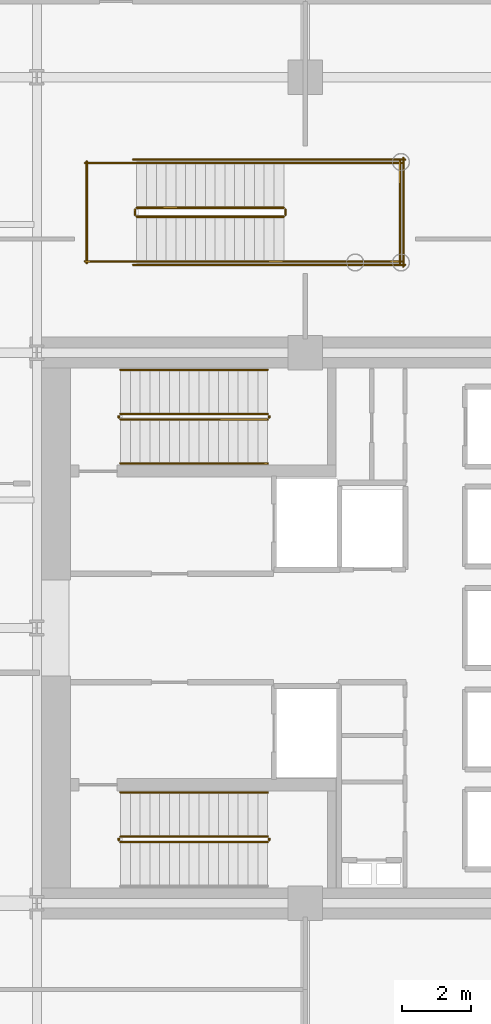
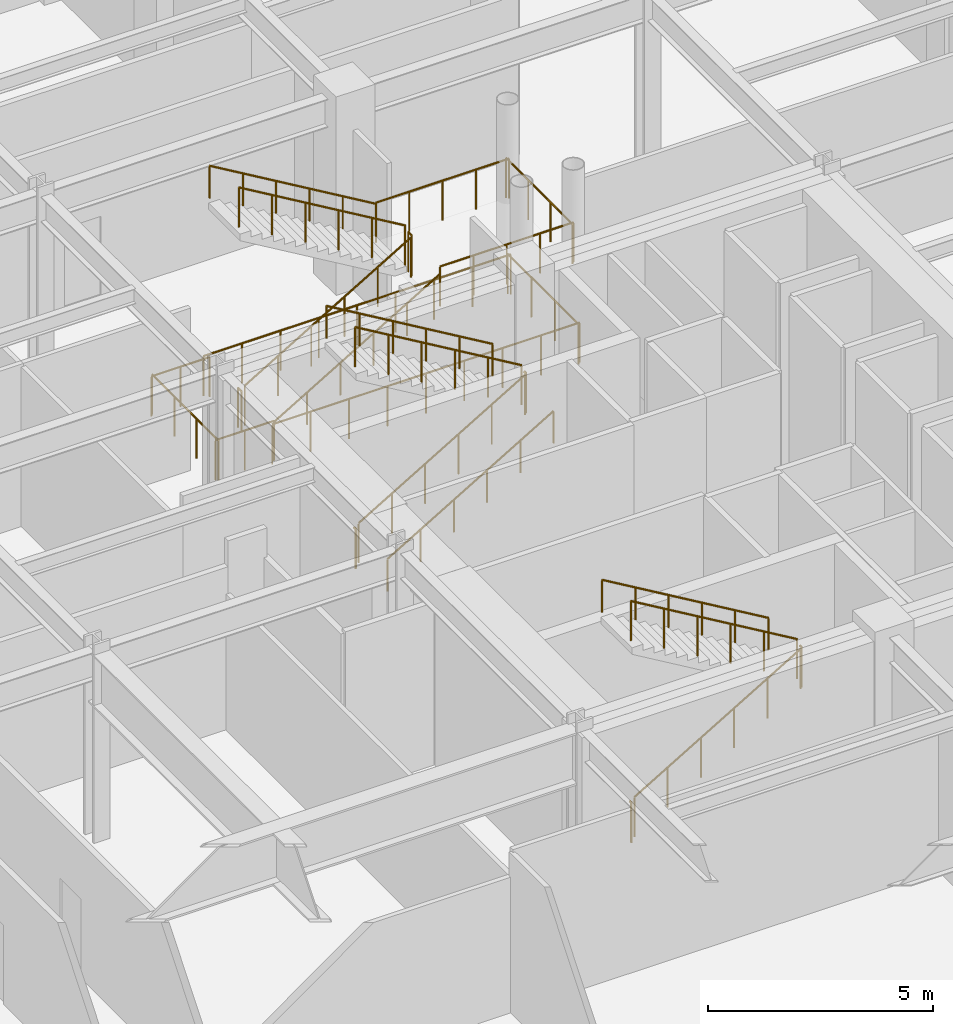
# One storey, part 12 of 12: 26 railings.
"""IFC4 building model written with IfcOpenShell, lengths in metres."""

from ifc_helpers import new_model, si_unit, direction, frame, origin, origin_2d, place, context, subcontext, project, spatial, circle, extrude, material, type_object, element, save


model = new_model("IFC4")

# Units and contexts
model_context = context("Model", 3, precision=1e-05, world=origin(), true_north=direction((0.0, 1.0)))
body_context = subcontext(model_context, "Body", "Model", "MODEL_VIEW")
ifc_project = project(units=[si_unit("LENGTHUNIT", "METRE"), si_unit("AREAUNIT", "SQUARE_METRE"), si_unit("VOLUMEUNIT", "CUBIC_METRE"), si_unit("PLANEANGLEUNIT", "RADIAN"), si_unit("MASSUNIT", "GRAM", prefix="KILO")], contexts=[model_context])

# Site, building, storey
site_placement = place(None, origin())
site = spatial("IfcSite", under=ifc_project, at=site_placement, CompositionType="ELEMENT")
building_placement = place(site_placement, origin())
building = spatial("IfcBuilding", under=site, at=building_placement, Name="Veymaron Broadcast Tower", CompositionType="ELEMENT")
storey_placement = place(building_placement, frame((0.0, 0.0, 10.800048828125)))
storey = spatial("IfcBuildingStorey", under=building, at=storey_placement, Name="L02", CompositionType="ELEMENT", Elevation=10.800048828125)

# Railings
ifc_material_1 = material(Name="Brushed stainless steel AISI 304", Category="steel")
railing_type_1 = type_object("IfcRailingType", Name="RAIL-STAIR-HR", PredefinedType="HANDRAIL", material=ifc_material_1)
railing_1_placement = place(storey_placement, frame((41.429931640625, 28.780029296875, 0.168701171875)))
element("IfcRailing", 1, at=railing_1_placement, inside=storey, type_object=railing_type_1, Name="L02 ST1 stair handrail 1", PredefinedType="HANDRAIL", context=body_context, shape_type="SweptSolid", body=[
    extrude(circle(Radius=0.02392578125, at=origin_2d()), frame((0.0, 0.0, 0.8759765625), z_axis=(0.860483042394, 0.0, 0.50947908078), x_axis=(0.0, 1.0, 0.0)), (0.0, 0.0, 1.0), 4.96826171875),
    extrude(circle(Radius=0.02099609375, at=origin_2d()), origin(), (0.0, 0.0, 1.0), 0.851806640625),
    extrude(circle(Radius=0.02099609375, at=origin_2d()), frame((0.85498046875, 0.0, 0.50634765625)), (0.0, 0.0, 1.0), 0.851806640625),
    extrude(circle(Radius=0.02099609375, at=origin_2d()), frame((1.7099609375, 0.0, 1.012451171875)), (0.0, 0.0, 1.0), 0.851806640625),
    extrude(circle(Radius=0.02099609375, at=origin_2d()), frame((2.565185546875, 0.0, 1.518798828125)), (0.0, 0.0, 1.0), 0.851806640625),
    extrude(circle(Radius=0.02099609375, at=origin_2d()), frame((3.420166015625, 0.0, 2.02490234375)), (0.0, 0.0, 1.0), 0.851806640625),
    extrude(circle(Radius=0.02099609375, at=origin_2d()), frame((4.275146484375, 0.0, 2.53125)), (0.0, 0.0, 1.0), 0.851806640625),
])
for number, where, name in (
    (2, (45.705078125, 31.5, 2.86865234375), "L02 ST1 stair handrail 2"),
    (3, (45.705078125, 19.219970703125, 2.86865234375), "L02 ST2 stair handrail 2"),
):
    element("IfcRailing", number, at=place(storey_placement, frame(where)), inside=storey, type_object=railing_type_1, Name=name, PredefinedType="HANDRAIL", context=body_context, shape_type="SweptSolid", body=[
        extrude(circle(Radius=0.02392578125, at=origin_2d()), frame((0.0, 0.0, 0.8759765625), z_axis=(-0.860483042394, 0.0, 0.50947908078), x_axis=(0.0, -1.0, 0.0)), (0.0, 0.0, 1.0), 4.96826171875),
        extrude(circle(Radius=0.02099609375, at=origin_2d()), origin(), (0.0, 0.0, 1.0), 0.851806640625),
        extrude(circle(Radius=0.02099609375, at=origin_2d()), frame((-0.85498046875, 0.0, 0.50634765625)), (0.0, 0.0, 1.0), 0.851806640625),
        extrude(circle(Radius=0.02099609375, at=origin_2d()), frame((-1.7099609375, 0.0, 1.012451171875)), (0.0, 0.0, 1.0), 0.851806640625),
        extrude(circle(Radius=0.02099609375, at=origin_2d()), frame((-2.565185546875, 0.0, 1.518798828125)), (0.0, 0.0, 1.0), 0.851806640625),
        extrude(circle(Radius=0.02099609375, at=origin_2d()), frame((-3.420166015625, 0.0, 2.02490234375)), (0.0, 0.0, 1.0), 0.851806640625),
        extrude(circle(Radius=0.02099609375, at=origin_2d()), frame((-4.275146484375, 0.0, 2.53125)), (0.0, 0.0, 1.0), 0.851806640625),
    ])
railing_2_placement = place(storey_placement, frame((41.89990234375, 34.64990234375, 0.168701171875)))
element("IfcRailing", 4, at=railing_2_placement, inside=storey, type_object=railing_type_1, Name="L02 STF1 stair handrail 1", PredefinedType="HANDRAIL", context=body_context, shape_type="SweptSolid", body=[
    extrude(circle(Radius=0.02392578125, at=origin_2d()), frame((0.0, 0.0, 0.8759765625), z_axis=(0.860483042394, 0.0, 0.50947908078), x_axis=(0.0, 1.0, 0.0)), (0.0, 0.0, 1.0), 4.96826171875),
    extrude(circle(Radius=0.02099609375, at=origin_2d()), origin(), (0.0, 0.0, 1.0), 0.851806640625),
    extrude(circle(Radius=0.02099609375, at=origin_2d()), frame((0.85498046875, 0.0, 0.50634765625)), (0.0, 0.0, 1.0), 0.851806640625),
    extrude(circle(Radius=0.02099609375, at=origin_2d()), frame((1.7099609375, 0.0, 1.012451171875)), (0.0, 0.0, 1.0), 0.851806640625),
    extrude(circle(Radius=0.02099609375, at=origin_2d()), frame((2.565185546875, 0.0, 1.518798828125)), (0.0, 0.0, 1.0), 0.851806640625),
    extrude(circle(Radius=0.02099609375, at=origin_2d()), frame((3.420166015625, 0.0, 2.02490234375)), (0.0, 0.0, 1.0), 0.851806640625),
    extrude(circle(Radius=0.02099609375, at=origin_2d()), frame((4.275146484375, 0.0, 2.53125)), (0.0, 0.0, 1.0), 0.851806640625),
])
railing_3_placement = place(storey_placement, frame((46.175048828125, 37.510009765625, 2.86865234375)))
element("IfcRailing", 5, at=railing_3_placement, inside=storey, type_object=railing_type_1, Name="L02 STF1 stair handrail 2", PredefinedType="HANDRAIL", context=body_context, shape_type="SweptSolid", body=[
    extrude(circle(Radius=0.02392578125, at=origin_2d()), frame((0.0, 0.0, 0.8759765625), z_axis=(-0.860483042394, 0.0, 0.50947908078), x_axis=(0.0, -1.0, 0.0)), (0.0, 0.0, 1.0), 4.96826171875),
    extrude(circle(Radius=0.02099609375, at=origin_2d()), origin(), (0.0, 0.0, 1.0), 0.851806640625),
    extrude(circle(Radius=0.02099609375, at=origin_2d()), frame((-0.85498046875, 0.0, 0.50634765625)), (0.0, 0.0, 1.0), 0.851806640625),
    extrude(circle(Radius=0.02099609375, at=origin_2d()), frame((-1.7099609375, 0.0, 1.012451171875)), (0.0, 0.0, 1.0), 0.851806640625),
    extrude(circle(Radius=0.02099609375, at=origin_2d()), frame((-2.565185546875, 0.0, 1.518798828125)), (0.0, 0.0, 1.0), 0.851806640625),
    extrude(circle(Radius=0.02099609375, at=origin_2d()), frame((-3.420166015625, 0.0, 2.02490234375)), (0.0, 0.0, 1.0), 0.851806640625),
    extrude(circle(Radius=0.02099609375, at=origin_2d()), frame((-4.275146484375, 0.0, 2.53125)), (0.0, 0.0, 1.0), 0.851806640625),
])
ifc_material_2 = material(Name="Painted galvanized steel balustrade", Category="steel")
railing_type_2 = type_object("IfcRailingType", Name="RAIL-WELL-GRD", PredefinedType="GUARDRAIL", material=ifc_material_2)
railing_4_placement = place(storey_placement, frame((41.429931640625, 30.06005859375, 0.168701171875)))
element("IfcRailing", 6, at=railing_4_placement, inside=storey, type_object=railing_type_2, Name="L02 ST1 stair guard 1", PredefinedType="GUARDRAIL", context=body_context, shape_type="SweptSolid", body=[
    extrude(circle(Radius=0.02392578125, at=origin_2d()), frame((0.0, 0.0, 1.076171875), z_axis=(0.860483042394, 0.0, 0.50947908078), x_axis=(0.0, 1.0, 0.0)), (0.0, 0.0, 1.0), 4.96826171875),
    extrude(circle(Radius=0.02099609375, at=origin_2d()), origin(), (0.0, 0.0, 1.0), 1.052001953125),
    extrude(circle(Radius=0.02099609375, at=origin_2d()), frame((0.85498046875, 0.0, 0.50634765625)), (0.0, 0.0, 1.0), 1.052001953125),
    extrude(circle(Radius=0.02099609375, at=origin_2d()), frame((1.7099609375, 0.0, 1.012451171875)), (0.0, 0.0, 1.0), 1.052001953125),
    extrude(circle(Radius=0.02099609375, at=origin_2d()), frame((2.565185546875, 0.0, 1.518798828125)), (0.0, 0.0, 1.0), 1.052001953125),
    extrude(circle(Radius=0.02099609375, at=origin_2d()), frame((3.420166015625, 0.0, 2.02490234375)), (0.0, 0.0, 1.0), 1.052001953125),
    extrude(circle(Radius=0.02099609375, at=origin_2d()), frame((4.275146484375, 0.0, 2.53125)), (0.0, 0.0, 1.0), 1.052001953125),
])
railing_5_placement = place(storey_placement, frame((45.7548828125, 30.110107421875, 2.699951171875)))
element("IfcRailing", 7, at=railing_5_placement, inside=storey, type_object=railing_type_2, Name="L02 ST1 stair guard 2", PredefinedType="GUARDRAIL", context=body_context, shape_type="SweptSolid", body=[
    extrude(circle(Radius=0.02392578125, at=origin_2d()), frame((0.0, 0.0, 1.076171875), z_axis=(0.0, 1.0, 0.0), x_axis=(-1.0, 0.0, 0.0)), (0.0, 0.0, 1.0), 0.059814453125),
    extrude(circle(Radius=0.02099609375, at=origin_2d()), origin(), (0.0, 0.0, 1.0), 1.052001953125),
])
railing_6_placement = place(storey_placement, frame((45.705078125, 30.219970703125, 2.86865234375)))
element("IfcRailing", 8, at=railing_6_placement, inside=storey, type_object=railing_type_2, Name="L02 ST1 stair guard 3", PredefinedType="GUARDRAIL", context=body_context, shape_type="SweptSolid", body=[
    extrude(circle(Radius=0.02392578125, at=origin_2d()), frame((0.0, 0.0, 1.076171875), z_axis=(-0.860483042394, 0.0, 0.50947908078), x_axis=(0.0, -1.0, 0.0)), (0.0, 0.0, 1.0), 4.96826171875),
    extrude(circle(Radius=0.02099609375, at=origin_2d()), origin(), (0.0, 0.0, 1.0), 1.052001953125),
    extrude(circle(Radius=0.02099609375, at=origin_2d()), frame((-0.85498046875, 0.0, 0.50634765625)), (0.0, 0.0, 1.0), 1.052001953125),
    extrude(circle(Radius=0.02099609375, at=origin_2d()), frame((-1.7099609375, 0.0, 1.012451171875)), (0.0, 0.0, 1.0), 1.052001953125),
    extrude(circle(Radius=0.02099609375, at=origin_2d()), frame((-2.565185546875, 0.0, 1.518798828125)), (0.0, 0.0, 1.0), 1.052001953125),
    extrude(circle(Radius=0.02099609375, at=origin_2d()), frame((-3.420166015625, 0.0, 2.02490234375)), (0.0, 0.0, 1.0), 1.052001953125),
    extrude(circle(Radius=0.02099609375, at=origin_2d()), frame((-4.275146484375, 0.0, 2.53125)), (0.0, 0.0, 1.0), 1.052001953125),
])
railing_7_placement = place(storey_placement, frame((41.3798828125, 30.110107421875, 0.0)))
element("IfcRailing", 9, at=railing_7_placement, inside=storey, type_object=railing_type_2, Name="L02 ST1 stair guard 4", PredefinedType="GUARDRAIL", context=body_context, shape_type="SweptSolid", body=[
    extrude(circle(Radius=0.02392578125, at=origin_2d()), frame((0.0, 0.0, 1.076171875), z_axis=(0.0, 1.0, 0.0), x_axis=(-1.0, 0.0, 0.0)), (0.0, 0.0, 1.0), 0.059814453125),
    extrude(circle(Radius=0.02099609375, at=origin_2d()), origin(), (0.0, 0.0, 1.0), 1.052001953125),
])
railing_8_placement = place(storey_placement, frame((41.429931640625, 17.780029296875, 0.168701171875)))
element("IfcRailing", 10, at=railing_8_placement, inside=storey, type_object=railing_type_2, Name="L02 ST2 stair guard 1", PredefinedType="GUARDRAIL", context=body_context, shape_type="SweptSolid", body=[
    extrude(circle(Radius=0.02392578125, at=origin_2d()), frame((0.0, 0.0, 1.076171875), z_axis=(0.860483042394, 0.0, 0.50947908078), x_axis=(0.0, 1.0, 0.0)), (0.0, 0.0, 1.0), 4.96826171875),
    extrude(circle(Radius=0.02099609375, at=origin_2d()), origin(), (0.0, 0.0, 1.0), 1.052001953125),
    extrude(circle(Radius=0.02099609375, at=origin_2d()), frame((0.85498046875, 0.0, 0.50634765625)), (0.0, 0.0, 1.0), 1.052001953125),
    extrude(circle(Radius=0.02099609375, at=origin_2d()), frame((1.7099609375, 0.0, 1.012451171875)), (0.0, 0.0, 1.0), 1.052001953125),
    extrude(circle(Radius=0.02099609375, at=origin_2d()), frame((2.565185546875, 0.0, 1.518798828125)), (0.0, 0.0, 1.0), 1.052001953125),
    extrude(circle(Radius=0.02099609375, at=origin_2d()), frame((3.420166015625, 0.0, 2.02490234375)), (0.0, 0.0, 1.0), 1.052001953125),
    extrude(circle(Radius=0.02099609375, at=origin_2d()), frame((4.275146484375, 0.0, 2.53125)), (0.0, 0.0, 1.0), 1.052001953125),
])
railing_9_placement = place(storey_placement, frame((45.7548828125, 17.830078125, 2.699951171875)))
element("IfcRailing", 11, at=railing_9_placement, inside=storey, type_object=railing_type_2, Name="L02 ST2 stair guard 2", PredefinedType="GUARDRAIL", context=body_context, shape_type="SweptSolid", body=[
    extrude(circle(Radius=0.02392578125, at=origin_2d()), frame((0.0, 0.0, 1.076171875), z_axis=(0.0, 1.0, 0.0), x_axis=(-1.0, 0.0, 0.0)), (0.0, 0.0, 1.0), 0.059814453125),
    extrude(circle(Radius=0.02099609375, at=origin_2d()), origin(), (0.0, 0.0, 1.0), 1.052001953125),
])
railing_10_placement = place(storey_placement, frame((45.705078125, 17.93994140625, 2.86865234375)))
element("IfcRailing", 12, at=railing_10_placement, inside=storey, type_object=railing_type_2, Name="L02 ST2 stair guard 3", PredefinedType="GUARDRAIL", context=body_context, shape_type="SweptSolid", body=[
    extrude(circle(Radius=0.02392578125, at=origin_2d()), frame((0.0, 0.0, 1.076171875), z_axis=(-0.860483042394, 0.0, 0.50947908078), x_axis=(0.0, -1.0, 0.0)), (0.0, 0.0, 1.0), 4.96826171875),
    extrude(circle(Radius=0.02099609375, at=origin_2d()), origin(), (0.0, 0.0, 1.0), 1.052001953125),
    extrude(circle(Radius=0.02099609375, at=origin_2d()), frame((-0.85498046875, 0.0, 0.50634765625)), (0.0, 0.0, 1.0), 1.052001953125),
    extrude(circle(Radius=0.02099609375, at=origin_2d()), frame((-1.7099609375, 0.0, 1.012451171875)), (0.0, 0.0, 1.0), 1.052001953125),
    extrude(circle(Radius=0.02099609375, at=origin_2d()), frame((-2.565185546875, 0.0, 1.518798828125)), (0.0, 0.0, 1.0), 1.052001953125),
    extrude(circle(Radius=0.02099609375, at=origin_2d()), frame((-3.420166015625, 0.0, 2.02490234375)), (0.0, 0.0, 1.0), 1.052001953125),
    extrude(circle(Radius=0.02099609375, at=origin_2d()), frame((-4.275146484375, 0.0, 2.53125)), (0.0, 0.0, 1.0), 1.052001953125),
])
railing_11_placement = place(storey_placement, frame((41.3798828125, 17.830078125, 0.0)))
element("IfcRailing", 13, at=railing_11_placement, inside=storey, type_object=railing_type_2, Name="L02 ST2 stair guard 4", PredefinedType="GUARDRAIL", context=body_context, shape_type="SweptSolid", body=[
    extrude(circle(Radius=0.02392578125, at=origin_2d()), frame((0.0, 0.0, 1.076171875), z_axis=(0.0, 1.0, 0.0), x_axis=(-1.0, 0.0, 0.0)), (0.0, 0.0, 1.0), 0.059814453125),
    extrude(circle(Radius=0.02099609375, at=origin_2d()), origin(), (0.0, 0.0, 1.0), 1.052001953125),
])
railing_12_placement = place(storey_placement, frame((41.89990234375, 35.949951171875, 0.168701171875)))
element("IfcRailing", 14, at=railing_12_placement, inside=storey, type_object=railing_type_2, Name="L02 STF1 stair guard 1", PredefinedType="GUARDRAIL", context=body_context, shape_type="SweptSolid", body=[
    extrude(circle(Radius=0.02392578125, at=origin_2d()), frame((0.0, 0.0, 1.076171875), z_axis=(0.860483042394, 0.0, 0.50947908078), x_axis=(0.0, 1.0, 0.0)), (0.0, 0.0, 1.0), 4.96826171875),
    extrude(circle(Radius=0.02099609375, at=origin_2d()), origin(), (0.0, 0.0, 1.0), 1.052001953125),
    extrude(circle(Radius=0.02099609375, at=origin_2d()), frame((0.85498046875, 0.0, 0.50634765625)), (0.0, 0.0, 1.0), 1.052001953125),
    extrude(circle(Radius=0.02099609375, at=origin_2d()), frame((1.7099609375, 0.0, 1.012451171875)), (0.0, 0.0, 1.0), 1.052001953125),
    extrude(circle(Radius=0.02099609375, at=origin_2d()), frame((2.565185546875, 0.0, 1.518798828125)), (0.0, 0.0, 1.0), 1.052001953125),
    extrude(circle(Radius=0.02099609375, at=origin_2d()), frame((3.420166015625, 0.0, 2.02490234375)), (0.0, 0.0, 1.0), 1.052001953125),
    extrude(circle(Radius=0.02099609375, at=origin_2d()), frame((4.275146484375, 0.0, 2.53125)), (0.0, 0.0, 1.0), 1.052001953125),
])
railing_13_placement = place(storey_placement, frame((46.22509765625, 36.0, 2.699951171875)))
element("IfcRailing", 15, at=railing_13_placement, inside=storey, type_object=railing_type_2, Name="L02 STF1 stair guard 2", PredefinedType="GUARDRAIL", context=body_context, shape_type="SweptSolid", body=[
    extrude(circle(Radius=0.02392578125, at=origin_2d()), frame((0.0, 0.0, 1.076171875), z_axis=(0.0, 1.0, 0.0), x_axis=(-1.0, 0.0, 0.0)), (0.0, 0.0, 1.0), 0.159912109375),
    extrude(circle(Radius=0.02099609375, at=origin_2d()), origin(), (0.0, 0.0, 1.0), 1.052001953125),
    extrude(circle(Radius=0.02099609375, at=origin_2d()), frame((0.0, 0.159912109375, 0.0)), (0.0, 0.0, 1.0), 1.052001953125),
])
for number, where, name in (
    (16, (46.175048828125, 34.64990234375, 2.699951171875), "L02 STF1 stair guard 3"),
    (17, (46.175048828125, 37.510009765625, 2.699951171875), "L02 STF1 stair guard 4"),
):
    element("IfcRailing", number, at=place(storey_placement, frame(where)), inside=storey, type_object=railing_type_2, Name=name, PredefinedType="GUARDRAIL", context=body_context, shape_type="SweptSolid", body=[
        extrude(circle(Radius=0.02392578125, at=origin_2d()), frame((0.0, 0.0, 1.076171875), z_axis=(1.0, 0.0, 0.0), x_axis=(0.0, 1.0, 0.0)), (0.0, 0.0, 1.0), 3.425048828125),
        extrude(circle(Radius=0.02099609375, at=origin_2d()), origin(), (0.0, 0.0, 1.0), 1.052001953125),
        extrude(circle(Radius=0.02099609375, at=origin_2d()), frame((0.856201171875, 0.0, 0.0)), (0.0, 0.0, 1.0), 1.052001953125),
        extrude(circle(Radius=0.02099609375, at=origin_2d()), frame((1.71240234375, 0.0, 0.0)), (0.0, 0.0, 1.0), 1.052001953125),
        extrude(circle(Radius=0.02099609375, at=origin_2d()), frame((2.56884765625, 0.0, 0.0)), (0.0, 0.0, 1.0), 1.052001953125),
        extrude(circle(Radius=0.02099609375, at=origin_2d()), frame((3.425048828125, 0.0, 0.0)), (0.0, 0.0, 1.0), 1.052001953125),
    ])
railing_14_placement = place(storey_placement, frame((49.550048828125, 34.60009765625, 2.699951171875)))
element("IfcRailing", 18, at=railing_14_placement, inside=storey, type_object=railing_type_2, Name="L02 STF1 stair guard 5", PredefinedType="GUARDRAIL", context=body_context, shape_type="SweptSolid", body=[
    extrude(circle(Radius=0.02392578125, at=origin_2d()), frame((0.0, 0.0, 1.076171875), z_axis=(0.0, 1.0, 0.0), x_axis=(-1.0, 0.0, 0.0)), (0.0, 0.0, 1.0), 2.9599609375),
    extrude(circle(Radius=0.02099609375, at=origin_2d()), origin(), (0.0, 0.0, 1.0), 1.052001953125),
    extrude(circle(Radius=0.02099609375, at=origin_2d()), frame((0.0, 0.986572265625, 0.0)), (0.0, 0.0, 1.0), 1.052001953125),
    extrude(circle(Radius=0.02099609375, at=origin_2d()), frame((0.0, 1.973388671875, 0.0)), (0.0, 0.0, 1.0), 1.052001953125),
    extrude(circle(Radius=0.02099609375, at=origin_2d()), frame((0.0, 2.9599609375, 0.0)), (0.0, 0.0, 1.0), 1.052001953125),
])
railing_15_placement = place(storey_placement, frame((46.175048828125, 36.2099609375, 2.86865234375)))
element("IfcRailing", 19, at=railing_15_placement, inside=storey, type_object=railing_type_2, Name="L02 STF1 stair guard 6", PredefinedType="GUARDRAIL", context=body_context, shape_type="SweptSolid", body=[
    extrude(circle(Radius=0.02392578125, at=origin_2d()), frame((0.0, 0.0, 1.076171875), z_axis=(-0.860483042394, 0.0, 0.50947908078), x_axis=(0.0, -1.0, 0.0)), (0.0, 0.0, 1.0), 4.96826171875),
    extrude(circle(Radius=0.02099609375, at=origin_2d()), origin(), (0.0, 0.0, 1.0), 1.052001953125),
    extrude(circle(Radius=0.02099609375, at=origin_2d()), frame((-0.85498046875, 0.0, 0.50634765625)), (0.0, 0.0, 1.0), 1.052001953125),
    extrude(circle(Radius=0.02099609375, at=origin_2d()), frame((-1.7099609375, 0.0, 1.012451171875)), (0.0, 0.0, 1.0), 1.052001953125),
    extrude(circle(Radius=0.02099609375, at=origin_2d()), frame((-2.565185546875, 0.0, 1.518798828125)), (0.0, 0.0, 1.0), 1.052001953125),
    extrude(circle(Radius=0.02099609375, at=origin_2d()), frame((-3.420166015625, 0.0, 2.02490234375)), (0.0, 0.0, 1.0), 1.052001953125),
    extrude(circle(Radius=0.02099609375, at=origin_2d()), frame((-4.275146484375, 0.0, 2.53125)), (0.0, 0.0, 1.0), 1.052001953125),
])
railing_16_placement = place(storey_placement, frame((41.85009765625, 36.0, 0.0)))
element("IfcRailing", 20, at=railing_16_placement, inside=storey, type_object=railing_type_2, Name="L02 STF1 stair guard 7", PredefinedType="GUARDRAIL", context=body_context, shape_type="SweptSolid", body=[
    extrude(circle(Radius=0.02392578125, at=origin_2d()), frame((0.0, 0.0, 1.076171875), z_axis=(0.0, 1.0, 0.0), x_axis=(-1.0, 0.0, 0.0)), (0.0, 0.0, 1.0), 0.159912109375),
    extrude(circle(Radius=0.02099609375, at=origin_2d()), origin(), (0.0, 0.0, 1.0), 1.052001953125),
    extrude(circle(Radius=0.02099609375, at=origin_2d()), frame((0.0, 0.159912109375, 0.0)), (0.0, 0.0, 1.0), 1.052001953125),
])
for number, where, name in (
    (21, (40.39990234375, 34.64990234375, 0.0), "L02 STF1 stair guard 8"),
    (22, (40.39990234375, 37.510009765625, 0.0), "L02 STF1 stair guard 9"),
):
    element("IfcRailing", number, at=place(storey_placement, frame(where)), inside=storey, type_object=railing_type_2, Name=name, PredefinedType="GUARDRAIL", context=body_context, shape_type="SweptSolid", body=[
        extrude(circle(Radius=0.02392578125, at=origin_2d()), frame((0.0, 0.0, 1.076171875), z_axis=(1.0, 0.0, 0.0), x_axis=(0.0, 1.0, 0.0)), (0.0, 0.0, 1.0), 1.5),
        extrude(circle(Radius=0.02099609375, at=origin_2d()), origin(), (0.0, 0.0, 1.0), 1.052001953125),
        extrude(circle(Radius=0.02099609375, at=origin_2d()), frame((0.75, 0.0, 0.0)), (0.0, 0.0, 1.0), 1.052001953125),
        extrude(circle(Radius=0.02099609375, at=origin_2d()), frame((1.5, 0.0, 0.0)), (0.0, 0.0, 1.0), 1.052001953125),
    ])
railing_17_placement = place(storey_placement, frame((40.449951171875, 34.60009765625, 0.0)))
element("IfcRailing", 23, at=railing_17_placement, inside=storey, type_object=railing_type_2, Name="L02 STF1 stair guard 10", PredefinedType="GUARDRAIL", context=body_context, shape_type="SweptSolid", body=[
    extrude(circle(Radius=0.02392578125, at=origin_2d()), frame((0.0, 0.0, 1.076171875), z_axis=(0.0, 1.0, 0.0), x_axis=(-1.0, 0.0, 0.0)), (0.0, 0.0, 1.0), 2.9599609375),
    extrude(circle(Radius=0.02099609375, at=origin_2d()), origin(), (0.0, 0.0, 1.0), 1.052001953125),
    extrude(circle(Radius=0.02099609375, at=origin_2d()), frame((0.0, 0.986572265625, 0.0)), (0.0, 0.0, 1.0), 1.052001953125),
    extrude(circle(Radius=0.02099609375, at=origin_2d()), frame((0.0, 1.973388671875, 0.0)), (0.0, 0.0, 1.0), 1.052001953125),
    extrude(circle(Radius=0.02099609375, at=origin_2d()), frame((0.0, 2.9599609375, 0.0)), (0.0, 0.0, 1.0), 1.052001953125),
])
for number, where, name in (
    (24, (41.800048828125, 34.550048828125, 0.0), "L02 STF1 stair guard 11"),
    (25, (41.800048828125, 37.610107421875, 0.0), "L02 STF1 stair guard 12"),
):
    element("IfcRailing", number, at=place(storey_placement, frame(where)), inside=storey, type_object=railing_type_2, Name=name, PredefinedType="GUARDRAIL", context=body_context, shape_type="SweptSolid", body=[
        extrude(circle(Radius=0.02392578125, at=origin_2d()), frame((0.0, 0.0, 1.076171875), z_axis=(1.0, 0.0, 0.0), x_axis=(0.0, 1.0, 0.0)), (0.0, 0.0, 1.0), 7.89990234375),
        extrude(circle(Radius=0.02099609375, at=origin_2d()), origin(), (0.0, 0.0, 1.0), 1.052001953125),
        extrude(circle(Radius=0.02099609375, at=origin_2d()), frame((0.987548828125, 0.0, 0.0)), (0.0, 0.0, 1.0), 1.052001953125),
        extrude(circle(Radius=0.02099609375, at=origin_2d()), frame((1.97509765625, 0.0, 0.0)), (0.0, 0.0, 1.0), 1.052001953125),
        extrude(circle(Radius=0.02099609375, at=origin_2d()), frame((2.96240234375, 0.0, 0.0)), (0.0, 0.0, 1.0), 1.052001953125),
        extrude(circle(Radius=0.02099609375, at=origin_2d()), frame((3.949951171875, 0.0, 0.0)), (0.0, 0.0, 1.0), 1.052001953125),
        extrude(circle(Radius=0.02099609375, at=origin_2d()), frame((4.9375, 0.0, 0.0)), (0.0, 0.0, 1.0), 1.052001953125),
        extrude(circle(Radius=0.02099609375, at=origin_2d()), frame((5.9248046875, 0.0, 0.0)), (0.0, 0.0, 1.0), 1.052001953125),
        extrude(circle(Radius=0.02099609375, at=origin_2d()), frame((6.912353515625, 0.0, 0.0)), (0.0, 0.0, 1.0), 1.052001953125),
        extrude(circle(Radius=0.02099609375, at=origin_2d()), frame((7.89990234375, 0.0, 0.0)), (0.0, 0.0, 1.0), 1.052001953125),
    ])
railing_18_placement = place(storey_placement, frame((49.64990234375, 34.5, 0.0)))
element("IfcRailing", 26, at=railing_18_placement, inside=storey, type_object=railing_type_2, Name="L02 STF1 stair guard 13", PredefinedType="GUARDRAIL", context=body_context, shape_type="SweptSolid", body=[
    extrude(circle(Radius=0.02392578125, at=origin_2d()), frame((0.0, 0.0, 1.076171875), z_axis=(0.0, 1.0, 0.0), x_axis=(-1.0, 0.0, 0.0)), (0.0, 0.0, 1.0), 3.159912109375),
    extrude(circle(Radius=0.02099609375, at=origin_2d()), origin(), (0.0, 0.0, 1.0), 1.052001953125),
    extrude(circle(Radius=0.02099609375, at=origin_2d()), frame((0.0, 1.05322265625, 0.0)), (0.0, 0.0, 1.0), 1.052001953125),
    extrude(circle(Radius=0.02099609375, at=origin_2d()), frame((0.0, 2.106689453125, 0.0)), (0.0, 0.0, 1.0), 1.052001953125),
    extrude(circle(Radius=0.02099609375, at=origin_2d()), frame((0.0, 3.159912109375, 0.0)), (0.0, 0.0, 1.0), 1.052001953125),
])

save(model, "model.ifc")
